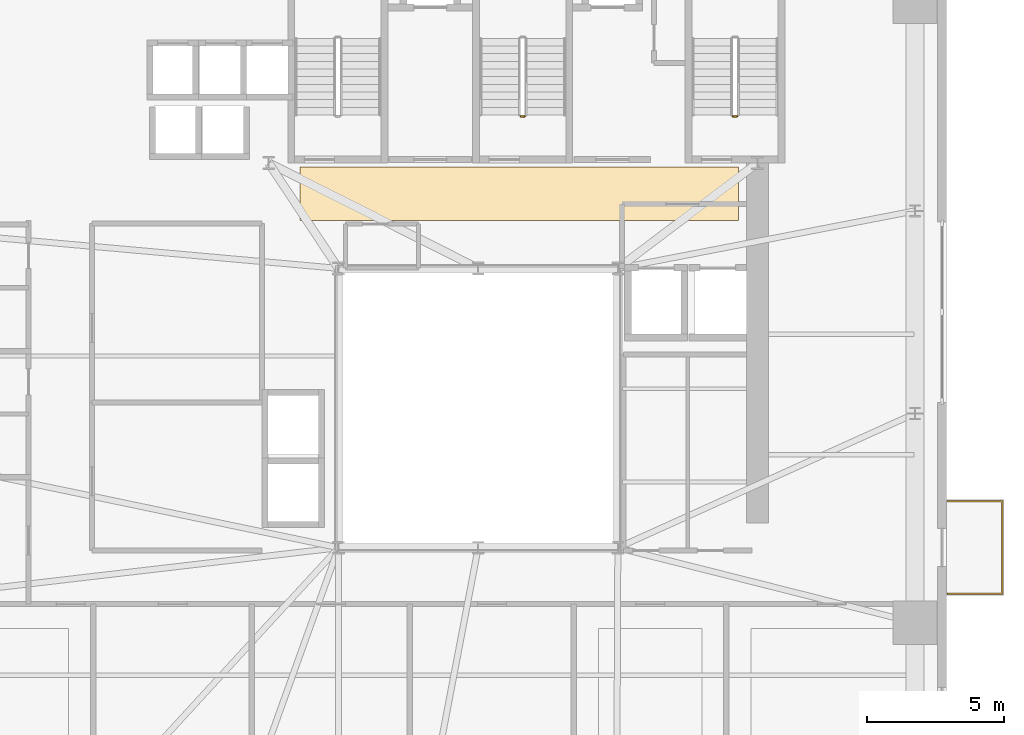
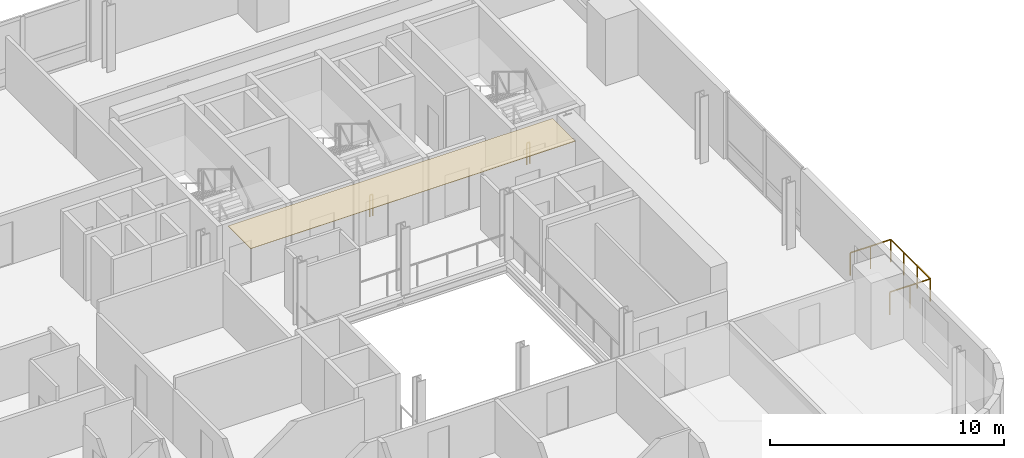
# One storey, part 12 of 14: 3 railings, 1 covering.
"""IFC4 building model written with IfcOpenShell, lengths in metres."""

from ifc_helpers import new_model, si_unit, direction, frame, origin, origin_2d, place, context, subcontext, project, spatial, polyline, rectangle, outline, extrude, source, transform, mapped, material, layer, layer_set, type_object, element, save


model = new_model("IFC4")

# Units and contexts
model_context = context("Model", 3, precision=1e-05, world=origin(), true_north=direction((0.0, 1.0)))
body_context = subcontext(model_context, "Body", "Model", "MODEL_VIEW")
ifc_project = project(units=[si_unit("LENGTHUNIT", "METRE"), si_unit("AREAUNIT", "SQUARE_METRE"), si_unit("VOLUMEUNIT", "CUBIC_METRE"), si_unit("PLANEANGLEUNIT", "RADIAN"), si_unit("MASSUNIT", "GRAM", prefix="KILO")], contexts=[model_context])

# Site, building, storey
site_placement = place(None, origin())
site = spatial("IfcSite", under=ifc_project, at=site_placement, CompositionType="ELEMENT")
building_placement = place(site_placement, origin())
building = spatial("IfcBuilding", under=site, at=building_placement, Name="Vardaveli Station Tower", CompositionType="ELEMENT")
storey_placement = place(building_placement, frame((0.0, 0.0, 144.60009765625)))
storey = spatial("IfcBuildingStorey", under=building, at=storey_placement, Name="L37", CompositionType="ELEMENT", Elevation=144.60009765625)

# Covering
ifc_material_1 = material(Name="Perforated acoustic mineral ceiling")
ifc_layer = layer(ifc_material_1, 0.02001953125, Name="Perforated acoustic mineral ceiling")
ifc_layer_set = layer_set([ifc_layer], Name="Perforated acoustic mineral ceiling")
covering_type = type_object("IfcCoveringType", Name="COV-CEIL-AC20", PredefinedType="CEILING", material=ifc_layer_set)
covering_placement = place(storey_placement, frame((0.0, 0.0, 3.44482421875)))
element("IfcCovering", 1, at=covering_placement, inside=storey, type_object=covering_type, Name="CEIL-L37-4", PredefinedType="CEILING", context=body_context, shape_type="SweptSolid", body=[
    extrude(outline(polyline([(29.800048828125, 28.550048828125), (45.800048828125, 28.550048828125), (45.800048828125, 30.5), (29.800048828125, 30.5), (29.800048828125, 28.550048828125)])), origin(), (0.0, 0.0, 1.0), 0.02001953125),
])

# Railings
ifc_material_2 = material(Name="Laminated glass and stainless steel balustrade", Category="steel")
railing_type_1 = type_object("IfcRailingType", Name="RL-BAL-1200", PredefinedType="BALUSTRADE", material=ifc_material_2)
shared_shape_1 = source(origin(), body_context, "Body", "SweptSolid", [
    extrude(rectangle(XDim=0.048095703125, YDim=0.048095703125, at=origin_2d()), frame((0.0, 0.0, 1.17578125), z_axis=(1.0, 0.0, 0.0), x_axis=(0.0, 1.0, 0.0)), (0.0, 0.0, 1.0), 2.0),
    extrude(rectangle(XDim=0.048095703125, YDim=0.048095703125, at=origin_2d()), frame((2.0, 0.0, 1.17578125), z_axis=(0.0, 1.0, 0.0), x_axis=(-1.0, 0.0, 0.0)), (0.0, 0.0, 1.0), 3.3798828125),
    extrude(rectangle(XDim=0.048095703125, YDim=0.048095703125, at=origin_2d()), frame((2.0, 3.3798828125, 1.17578125), z_axis=(-1.0, 0.0, 0.0), x_axis=(0.0, -1.0, 0.0)), (0.0, 0.0, 1.0), 2.0),
    extrude(rectangle(XDim=0.0419921875, YDim=0.0419921875, at=origin_2d()), origin(), (0.0, 0.0, 1.0), 1.15185546875),
    extrude(rectangle(XDim=0.0419921875, YDim=0.0419921875, at=origin_2d()), frame((1.0, 0.0, 0.0)), (0.0, 0.0, 1.0), 1.15185546875),
    extrude(rectangle(XDim=0.0419921875, YDim=0.0419921875, at=origin_2d()), frame((2.0, 0.0, 0.0)), (0.0, 0.0, 1.0), 1.15185546875),
    extrude(rectangle(XDim=0.0419921875, YDim=0.0419921875, at=origin_2d()), frame((2.0, 1.126708984375, 0.0)), (0.0, 0.0, 1.0), 1.15185546875),
    extrude(rectangle(XDim=0.0419921875, YDim=0.0419921875, at=origin_2d()), frame((2.0, 2.253173828125, 0.0)), (0.0, 0.0, 1.0), 1.15185546875),
    extrude(rectangle(XDim=0.0419921875, YDim=0.0419921875, at=origin_2d()), frame((2.0, 3.3798828125, 0.0)), (0.0, 0.0, 1.0), 1.15185546875),
    extrude(rectangle(XDim=0.0419921875, YDim=0.0419921875, at=origin_2d()), frame((1.0, 3.3798828125, 0.0)), (0.0, 0.0, 1.0), 1.15185546875),
    extrude(rectangle(XDim=0.0419921875, YDim=0.0419921875, at=origin_2d()), frame((0.0, 3.3798828125, 0.0)), (0.0, 0.0, 1.0), 1.15185546875),
])
railing_placement = place(storey_placement, frame((53.43994140625, 14.92041015625, 0.0)))
element("IfcRailing", 2, at=railing_placement, inside=storey, type_object=railing_type_1, Name="RL-LOG-L37-04", PredefinedType="BALUSTRADE", context=body_context, shape_type="MappedRepresentation", body=[
    mapped(shared_shape_1, transform((0.0, 0.0, 0.0), scale=1.0)),
])
ifc_material_3 = material(Name="Brushed AISI 316 stainless steel", Category="steel")
railing_type_2 = type_object("IfcRailingType", Name="RL-GUARD-1150", PredefinedType="GUARDRAIL", material=ifc_material_3)
shared_shape_2 = source(origin(), body_context, "Body", "SweptSolid", [
    extrude(rectangle(XDim=0.048095703125, YDim=0.048095703125, at=origin_2d()), frame((0.0, 0.0, 1.1259765625), z_axis=(-1.0, 0.0, 0.0), x_axis=(0.0, -1.0, 0.0)), (0.0, 0.0, 1.0), 0.14990234375),
    extrude(rectangle(XDim=0.0419921875, YDim=0.0419921875, at=origin_2d()), origin(), (0.0, 0.0, 1.0), 1.101806640625),
    extrude(rectangle(XDim=0.0419921875, YDim=0.0419921875, at=origin_2d()), frame((-0.14990234375, 0.0, 0.0)), (0.0, 0.0, 1.0), 1.101806640625),
])
for number, where, name in (
    (3, (38.0, 32.35009765625, 0.0), "L37 ST-2 stair guard 4"),
    (4, (45.75, 32.35009765625, 0.0), "L37 ST-3 stair guard 4"),
):
    element("IfcRailing", number, at=place(storey_placement, frame(where)), inside=storey, type_object=railing_type_2, Name=name, PredefinedType="GUARDRAIL", context=body_context, shape_type="MappedRepresentation", body=[
        mapped(shared_shape_2, transform((0.0, 0.0, 0.0), scale=1.0)),
    ])

save(model, "model.ifc")
